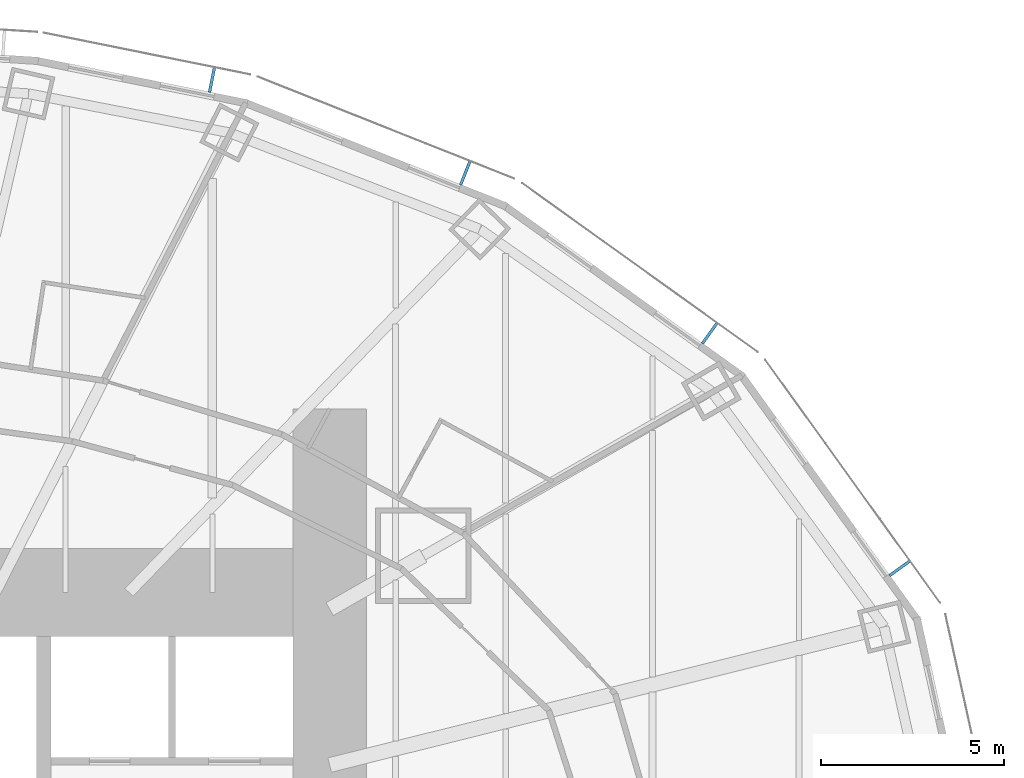
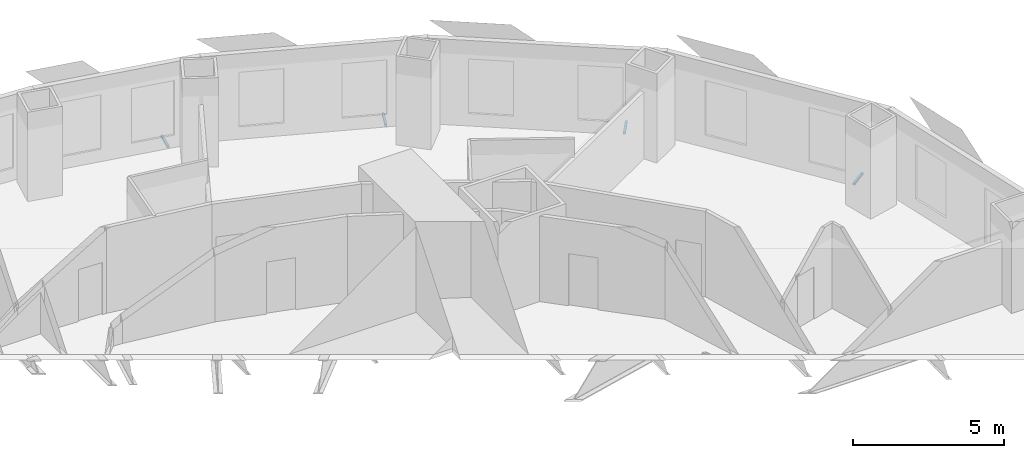
# One storey, part 12 of 15: 4 discrete accessories.
"""IFC4 building model written with IfcOpenShell, lengths in metres."""

from ifc_helpers import new_model, si_unit, direction, frame, origin, origin_2d, place, context, subcontext, project, spatial, rectangle, extrude, element, save


model = new_model("IFC4")

# Units and contexts
model_context = context("Model", 3, precision=1e-05, world=origin(), true_north=direction((0.0, 1.0)))
body_context = subcontext(model_context, "Body", "Model", "MODEL_VIEW")
ifc_project = project(units=[si_unit("LENGTHUNIT", "METRE"), si_unit("AREAUNIT", "SQUARE_METRE"), si_unit("VOLUMEUNIT", "CUBIC_METRE"), si_unit("PLANEANGLEUNIT", "RADIAN"), si_unit("MASSUNIT", "GRAM", prefix="KILO")], contexts=[model_context])

# Site, building, storey
site_placement = place(None, origin())
site = spatial("IfcSite", under=ifc_project, at=site_placement, CompositionType="ELEMENT")
building_placement = place(site_placement, origin())
building = spatial("IfcBuilding", under=site, at=building_placement, Name="Lantaw Convention Tower", CompositionType="ELEMENT")
storey_placement = place(building_placement, frame((0.0, 0.0, 83.800048828125)))
storey = spatial("IfcBuildingStorey", under=building, at=storey_placement, Name="L19", CompositionType="ELEMENT", Elevation=83.800048828125)

# Discrete accessories
for number, where, z_axis, x_axis, name in (
    (1, (28.745849609375, 8.65869140625, -0.114990234375), (0.0, 0.0, 1.0), (-0.583951250436, 0.811788726895, 0.0), "Screen bracket"),
    (2, (23.564453125, 15.06640625, -0.114990234375), (0.0, 0.0, 1.0), (-0.812803733199, 0.5825376308, 0.0), "Screen bracket"),
    (3, (16.898193359375, 19.4345703125, -0.114990234375), (0.0, 0.0, 1.0), (-0.929361152748, 0.369171840425, 0.0), "Screen bracket"),
    (4, (9.990478515625, 21.974365234375, -0.114990234375), (0.0, 0.0, 1.0), (-0.980244604501, 0.197789067813, 0.0), "Screen bracket"),
):
    element("IfcDiscreteAccessory", number, at=place(storey_placement, frame(where, z_axis=z_axis, x_axis=x_axis)), inside=storey, Name=name, PredefinedType="BRACKET", context=body_context, shape_type="SweptSolid", body=[
        extrude(rectangle(XDim=0.080078125, YDim=0.68798828125, at=origin_2d()), origin(), (0.0, 0.0, 1.0), 0.080078125),
    ])

save(model, "model.ifc")
